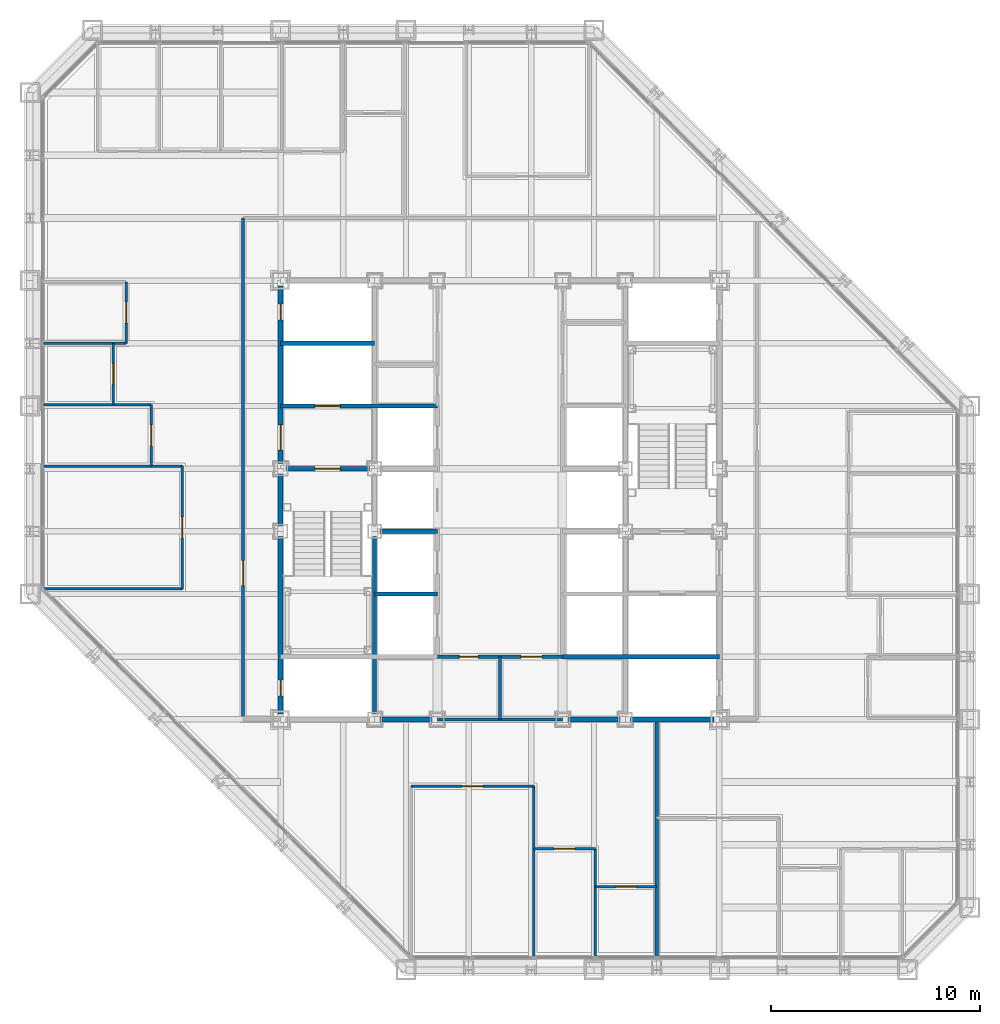
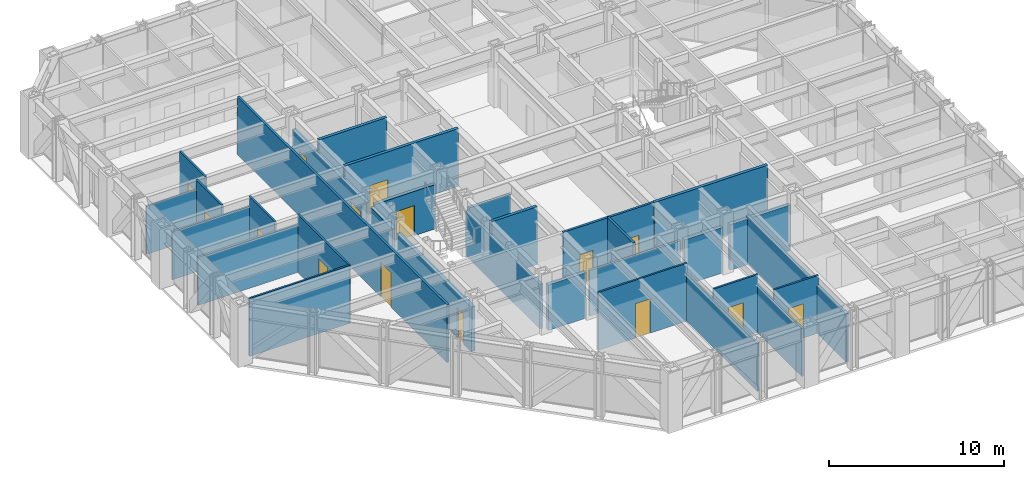
# One storey, part 10 of 16: 31 walls, 15 doors, 15 openings.
"""IFC4 building model written with IfcOpenShell, lengths in metres."""

from ifc_helpers import new_model, si_unit, direction, frame, frame_2d, origin, place, context, subcontext, project, spatial, rectangle, extrude, material, layer, layer_set, type_object, element, fill, save


model = new_model("IFC4")

# Units and contexts
model_context = context("Model", 3, precision=1e-05, world=origin(), true_north=direction((0.0, 1.0)))
body_context = subcontext(model_context, "Body", "Model", "MODEL_VIEW")
ifc_project = project(units=[si_unit("LENGTHUNIT", "METRE"), si_unit("AREAUNIT", "SQUARE_METRE"), si_unit("VOLUMEUNIT", "CUBIC_METRE"), si_unit("PLANEANGLEUNIT", "RADIAN"), si_unit("MASSUNIT", "GRAM", prefix="KILO")], contexts=[model_context])

# Site, building, storey
site_placement = place(None, origin())
site = spatial("IfcSite", under=ifc_project, at=site_placement, CompositionType="ELEMENT")
building_placement = place(site_placement, origin())
building = spatial("IfcBuilding", under=site, at=building_placement, Name="Chuquiago Exchange Tower", CompositionType="ELEMENT")
storey_placement = place(building_placement, frame((0.0, 0.0, 127.800048828125)))
storey = spatial("IfcBuildingStorey", under=building, at=storey_placement, Name="L27", CompositionType="ELEMENT", Elevation=127.800048828125)

# Wall, opening, door
ifc_material_1 = material(Name="Concrete masonry, fully grouted", Category="masonry")
ifc_layer_1 = layer(ifc_material_1, 0.25)
ifc_layer_set_1 = layer_set([ifc_layer_1], Name="W1 core wall 250")
wall_type_1 = type_object("IfcWallType", Name="W1 core wall 250", PredefinedType="SOLIDWALL", material=ifc_layer_set_1)
wall_1_placement = place(storey_placement, frame((12.0, 12.25, 0.0), z_axis=(0.0, 0.0, 1.0), x_axis=(0.0, 1.0, 0.0)))
wall_1 = element("IfcWall", 1, at=wall_1_placement, inside=storey, type_object=wall_type_1, Name="CW-L27-00-0", PredefinedType="SOLIDWALL", context=body_context, shape_type="SweptSolid", body=[
    extrude(rectangle(XDim=8.5, YDim=0.25, at=frame_2d((4.25, 0.0))), origin(), (0.0, 0.0, 1.0), 3.11279296875),
])
opening_1_placement = place(wall_1_placement, frame((0.875, 0.0, 0.0)))
opening_1 = element("IfcOpeningElement", 2, at=opening_1_placement, cuts=wall_1, Name="Opening L27-007", PredefinedType="OPENING", context=body_context, shape_type="SweptSolid", body=[
    extrude(rectangle(XDim=0.75, YDim=2.10009765625, at=frame_2d((0.375, 1.050048828125))), frame((0.0, 0.135009765625, 0.0), z_axis=(0.0, -1.0, 0.0), x_axis=(1.0, 0.0, 0.0)), (0.0, 0.0, 1.0), 0.27001953125),
])
ifc_material_2 = material(Name="Steel door, painted", Category="steel")
door_type_1 = type_object("IfcDoorType", Name="D6 riser access door 750x2100", OperationType="SINGLE_SWING_LEFT", PredefinedType="DOOR", material=ifc_material_2)
door_1_placement = place(opening_1_placement, frame((0.75, 0.0, 0.0), z_axis=(0.0, 0.0, 1.0), x_axis=(-1.0, 0.0, 0.0)))
door_1 = element("IfcDoor", 3, at=door_1_placement, inside=storey, type_object=door_type_1, Name="Riser RW1 door", OperationType="SINGLE_SWING_RIGHT", OverallHeight=2.10009765625, OverallWidth=0.75, PredefinedType="DOOR", context=body_context, shape_type="SweptSolid", body=[
    extrude(rectangle(XDim=0.75, YDim=2.10009765625, at=frame_2d((0.375, 1.050048828125))), frame((0.0, 0.02490234375, 0.0), z_axis=(0.0, -1.0, 0.0), x_axis=(1.0, 0.0, 0.0)), (0.0, 0.0, 1.0), 0.050048828125),
])
fill(opening_1, door_1)

# Wall
wall_2_placement = place(storey_placement, frame((12.0, 21.25, 0.0), z_axis=(0.0, 0.0, 1.0), x_axis=(0.0, 1.0, 0.0)))
element("IfcWall", 4, at=wall_2_placement, inside=storey, type_object=wall_type_1, Name="CW-L27-00-1", PredefinedType="SOLIDWALL", context=body_context, shape_type="SweptSolid", body=[
    extrude(rectangle(XDim=2.5, YDim=0.25, at=frame_2d((1.25, 0.0))), origin(), (0.0, 0.0, 1.0), 3.11279296875),
])

# Wall, openings, doors
wall_3_placement = place(storey_placement, frame((12.0, 24.25, 0.0), z_axis=(0.0, 0.0, 1.0), x_axis=(0.0, 1.0, 0.0)))
wall_3 = element("IfcWall", 5, at=wall_3_placement, inside=storey, type_object=wall_type_1, Name="CW-L27-00-2", PredefinedType="SOLIDWALL", context=body_context, shape_type="SweptSolid", body=[
    extrude(rectangle(XDim=8.5, YDim=0.25, at=frame_2d((4.25, 0.0))), origin(), (0.0, 0.0, 1.0), 3.11279296875),
])
opening_2_placement = place(wall_3_placement, frame((0.64990234375, 0.0, 0.0)))
opening_2 = element("IfcOpeningElement", 6, at=opening_2_placement, cuts=wall_3, Name="Opening L27-002", PredefinedType="OPENING", context=body_context, shape_type="SweptSolid", body=[
    extrude(rectangle(XDim=1.199951171875, YDim=2.10009765625, at=frame_2d((0.60009765625, 1.050048828125))), frame((0.0, 0.135009765625, 0.0), z_axis=(0.0, -1.0, 0.0), x_axis=(1.0, 0.0, 0.0)), (0.0, 0.0, 1.0), 0.27001953125),
])
opening_3_placement = place(wall_3_placement, frame((6.875, 0.0, 0.0)))
opening_3 = element("IfcOpeningElement", 7, at=opening_3_placement, cuts=wall_3, Name="Opening L27-008", PredefinedType="OPENING", context=body_context, shape_type="SweptSolid", body=[
    extrude(rectangle(XDim=0.75, YDim=2.10009765625, at=frame_2d((0.375, 1.050048828125))), frame((0.0, 0.135009765625, 0.0), z_axis=(0.0, -1.0, 0.0), x_axis=(1.0, 0.0, 0.0)), (0.0, 0.0, 1.0), 0.27001953125),
])
ifc_material_3 = material(Name="Steel door, painted", Category="steel")
door_type_2 = type_object("IfcDoorType", Name="D5 firefighting lobby door 1200x2100", OperationType="SINGLE_SWING_LEFT", PredefinedType="DOOR", material=ifc_material_3)
door_2_placement = place(opening_2_placement, frame((1.199951171875, 0.0, 0.0), z_axis=(0.0, 0.0, 1.0), x_axis=(-1.0, 0.0, 0.0)))
door_2 = element("IfcDoor", 8, at=door_2_placement, inside=storey, type_object=door_type_2, Name="Firefighting lobby 1 door", OperationType="SINGLE_SWING_RIGHT", OverallHeight=2.10009765625, OverallWidth=1.199951171875, PredefinedType="DOOR", context=body_context, shape_type="SweptSolid", body=[
    extrude(rectangle(XDim=1.199951171875, YDim=2.10009765625, at=frame_2d((0.60009765625, 1.050048828125))), frame((0.0, 0.02490234375, 0.0), z_axis=(0.0, -1.0, 0.0), x_axis=(1.0, 0.0, 0.0)), (0.0, 0.0, 1.0), 0.050048828125),
])
fill(opening_2, door_2)
door_3_placement = place(opening_3_placement, frame((0.75, 0.0, 0.0), z_axis=(0.0, 0.0, 1.0), x_axis=(-1.0, 0.0, 0.0)))
door_3 = element("IfcDoor", 9, at=door_3_placement, inside=storey, type_object=door_type_1, Name="Riser RW2 door", OperationType="SINGLE_SWING_LEFT", OverallHeight=2.10009765625, OverallWidth=0.75, PredefinedType="DOOR", context=body_context, shape_type="SweptSolid", body=[
    extrude(rectangle(XDim=0.75, YDim=2.10009765625, at=frame_2d((0.375, 1.050048828125))), frame((0.0, 0.02490234375, 0.0), z_axis=(0.0, -1.0, 0.0), x_axis=(1.0, 0.0, 0.0)), (0.0, 0.0, 1.0), 0.050048828125),
])
fill(opening_3, door_3)

# Walls
for number, where, z_axis, x_axis, name in (
    (10, (16.75, 12.0, 0.0), (0.0, 0.0, 1.0), (1.0, 0.0, 0.0), "CW-L27-01-1"),
    (11, (25.75, 12.0, 0.0), (0.0, 0.0, 1.0), (1.0, 0.0, 0.0), "CW-L27-02-0"),
):
    element("IfcWall", number, at=place(storey_placement, frame(where, z_axis=z_axis, x_axis=x_axis)), inside=storey, type_object=wall_type_1, Name=name, PredefinedType="SOLIDWALL", context=body_context, shape_type="SweptSolid", body=[
        extrude(rectangle(XDim=2.5, YDim=0.25, at=frame_2d((1.25, 0.0))), origin(), (0.0, 0.0, 1.0), 3.181396484375),
    ])
wall_4_placement = place(storey_placement, frame((28.75, 12.0, 0.0), z_axis=(0.0, 0.0, 1.0), x_axis=(1.0, 0.0, 0.0)))
element("IfcWall", 12, at=wall_4_placement, inside=storey, type_object=wall_type_1, Name="CW-L27-02-1", PredefinedType="SOLIDWALL", context=body_context, shape_type="SweptSolid", body=[
    extrude(rectangle(XDim=4.0, YDim=0.25, at=frame_2d((2.0, 0.0))), origin(), (0.0, 0.0, 1.0), 3.181396484375),
])

# Wall, opening, door
ifc_material_4 = material(Name="Gypsum board on steel studs, acoustic insulation", Category="steel")
ifc_layer_2 = layer(ifc_material_4, 0.14990234375)
ifc_layer_set_2 = layer_set([ifc_layer_2], Name="W11 corridor wall 150")
wall_type_2 = type_object("IfcWallType", Name="W11 corridor wall 150", PredefinedType="PARTITIONING", material=ifc_layer_set_2)
wall_5_placement = place(storey_placement, frame((10.199951171875, 12.0, 0.0), z_axis=(0.0, 0.0, 1.0), x_axis=(0.0, 1.0, 0.0)))
wall_5 = element("IfcWall", 13, at=wall_5_placement, inside=storey, type_object=wall_type_2, Name="PW-L27-CW", PredefinedType="PARTITIONING", context=body_context, shape_type="SweptSolid", body=[
    extrude(rectangle(XDim=24.0, YDim=0.14990234375, at=frame_2d((12.0, 0.0))), origin(), (0.0, 0.0, 1.0), 4.0400390625),
])
opening_4_placement = place(wall_5_placement, frame((6.39990234375, 0.0, 0.0)))
opening_4 = element("IfcOpeningElement", 14, at=opening_4_placement, cuts=wall_5, Name="Opening L27-043", PredefinedType="OPENING", context=body_context, shape_type="SweptSolid", body=[
    extrude(rectangle(XDim=1.199951171875, YDim=2.39990234375, at=frame_2d((0.60009765625, 1.199951171875))), frame((0.0, 0.0849609375, 0.0), z_axis=(0.0, -1.0, 0.0), x_axis=(1.0, 0.0, 0.0)), (0.0, 0.0, 1.0), 0.169921875),
])
ifc_material_5 = material(Name="Timber door, laminate faced", Category="wood")
door_type_3 = type_object("IfcDoorType", Name="D13 suite entrance door 1200x2400", OperationType="SINGLE_SWING_LEFT", PredefinedType="DOOR", material=ifc_material_5)
door_4_placement = place(opening_4_placement, origin())
door_4 = element("IfcDoor", 15, at=door_4_placement, inside=storey, type_object=door_type_3, Name="West suite entrance door", OperationType="SINGLE_SWING_LEFT", OverallHeight=2.39990234375, OverallWidth=1.199951171875, PredefinedType="DOOR", context=body_context, shape_type="SweptSolid", body=[
    extrude(rectangle(XDim=1.199951171875, YDim=2.39990234375, at=frame_2d((0.60009765625, 1.199951171875))), frame((0.0, 0.02490234375, 0.0), z_axis=(0.0, -1.0, 0.0), x_axis=(1.0, 0.0, 0.0)), (0.0, 0.0, 1.0), 0.050048828125),
])
fill(opening_4, door_4)

# Walls
ifc_material_6 = material(Name="Gypsum board on twin steel studs, acoustic insulation", Category="steel")
ifc_layer_3 = layer(ifc_material_6, 0.175048828125)
ifc_layer_set_3 = layer_set([ifc_layer_3], Name="W12 tenant demising wall 175")
wall_type_3 = type_object("IfcWallType", Name="W12 tenant demising wall 175", PredefinedType="PARTITIONING", material=ifc_layer_set_3)
wall_6_placement = place(storey_placement, frame((30.0, 0.652587890625, 0.0), z_axis=(0.0, 0.0, 1.0), x_axis=(0.0, 1.0, 0.0)))
element("IfcWall", 16, at=wall_6_placement, inside=storey, type_object=wall_type_3, Name="PW-L27-DS03000", PredefinedType="PARTITIONING", context=body_context, shape_type="SweptSolid", body=[
    extrude(rectangle(XDim=11.347412109375, YDim=0.175048828125, at=frame_2d((5.673828125, 0.0))), origin(), (0.0, 0.0, 1.0), 3.356689453125),
])
ifc_material_7 = material(Name="Concrete masonry, fully grouted", Category="masonry")
ifc_layer_4 = layer(ifc_material_7, 0.199951171875)
ifc_layer_set_4 = layer_set([ifc_layer_4], Name="W2 shaft wall 200")
wall_type_4 = type_object("IfcWallType", Name="W2 shaft wall 200", PredefinedType="SOLIDWALL", material=ifc_layer_set_4)
wall_7_placement = place(storey_placement, frame((25.5, 15.0, 0.0), z_axis=(0.0, 0.0, 1.0), x_axis=(1.0, 0.0, 0.0)))
element("IfcWall", 17, at=wall_7_placement, inside=storey, type_object=wall_type_4, Name="CW-L27-04-0", PredefinedType="SOLIDWALL", context=body_context, shape_type="SweptSolid", body=[
    extrude(rectangle(XDim=7.5, YDim=0.199951171875, at=frame_2d((3.75, 0.0))), origin(), (0.0, 0.0, 1.0), 4.0400390625),
])

# Wall, opening, door
wall_8_placement = place(storey_placement, frame((12.25, 24.0, 0.0), z_axis=(0.0, 0.0, 1.0), x_axis=(1.0, 0.0, 0.0)))
wall_8 = element("IfcWall", 18, at=wall_8_placement, inside=storey, type_object=wall_type_4, Name="CW-L27-05-0", PredefinedType="SOLIDWALL", context=body_context, shape_type="SweptSolid", body=[
    extrude(rectangle(XDim=4.0, YDim=0.199951171875, at=frame_2d((2.0, 0.0))), origin(), (0.0, 0.0, 1.0), 3.08984375),
])
opening_5_placement = place(wall_8_placement, frame((1.39990234375, 0.0, 0.0)))
opening_5 = element("IfcOpeningElement", 19, at=opening_5_placement, cuts=wall_8, Name="Opening L27-001", PredefinedType="OPENING", context=body_context, shape_type="SweptSolid", body=[
    extrude(rectangle(XDim=1.199951171875, YDim=2.10009765625, at=frame_2d((0.60009765625, 1.050048828125))), frame((0.0, 0.10986328125, 0.0), z_axis=(0.0, -1.0, 0.0), x_axis=(1.0, 0.0, 0.0)), (0.0, 0.0, 1.0), 0.219970703125),
])
ifc_material_8 = material(Name="Steel door, painted", Category="steel")
door_type_4 = type_object("IfcDoorType", Name="D4 stair door 1200x2100", OperationType="SINGLE_SWING_LEFT", PredefinedType="DOOR", material=ifc_material_8)
door_5_placement = place(opening_5_placement, frame((1.199951171875, 0.0, 0.0), z_axis=(0.0, 0.0, 1.0), x_axis=(-1.0, 0.0, 0.0)))
door_5 = element("IfcDoor", 20, at=door_5_placement, inside=storey, type_object=door_type_4, Name="Stair ST1 door", OperationType="SINGLE_SWING_RIGHT", OverallHeight=2.10009765625, OverallWidth=1.199951171875, PredefinedType="DOOR", context=body_context, shape_type="SweptSolid", body=[
    extrude(rectangle(XDim=1.199951171875, YDim=2.10009765625, at=frame_2d((0.60009765625, 1.050048828125))), frame((0.0, 0.02490234375, 0.0), z_axis=(0.0, -1.0, 0.0), x_axis=(1.0, 0.0, 0.0)), (0.0, 0.0, 1.0), 0.050048828125),
])
fill(opening_5, door_5)

wall_9_placement = place(storey_placement, frame((12.0, 27.0, 0.0), z_axis=(0.0, 0.0, 1.0), x_axis=(1.0, 0.0, 0.0)))
wall_9 = element("IfcWall", 21, at=wall_9_placement, inside=storey, type_object=wall_type_4, Name="CW-L27-07-0", PredefinedType="SOLIDWALL", context=body_context, shape_type="SweptSolid", body=[
    extrude(rectangle(XDim=7.5, YDim=0.199951171875, at=frame_2d((3.75, 0.0))), origin(), (0.0, 0.0, 1.0), 4.0400390625),
])
opening_6_placement = place(wall_9_placement, frame((1.64990234375, 0.0, 0.0)))
opening_6 = element("IfcOpeningElement", 22, at=opening_6_placement, cuts=wall_9, Name="Opening L27-005", PredefinedType="OPENING", context=body_context, shape_type="SweptSolid", body=[
    extrude(rectangle(XDim=1.199951171875, YDim=2.10009765625, at=frame_2d((0.60009765625, 1.050048828125))), frame((0.0, 0.10986328125, 0.0), z_axis=(0.0, -1.0, 0.0), x_axis=(1.0, 0.0, 0.0)), (0.0, 0.0, 1.0), 0.219970703125),
])
ifc_material_9 = material(Name="Stainless steel lift landing door", Category="steel")
door_type_5 = type_object("IfcDoorType", Name="LD2 firefighting lift landing door 1200x2100", OperationType="DOUBLE_DOOR_SLIDING", PredefinedType="DOOR", material=ifc_material_9)
door_6_placement = place(opening_6_placement, origin())
door_6 = element("IfcDoor", 23, at=door_6_placement, inside=storey, type_object=door_type_5, Name="Firefighting lift FL1 landing door", OperationType="DOUBLE_DOOR_SLIDING", OverallHeight=2.10009765625, OverallWidth=1.199951171875, PredefinedType="DOOR", context=body_context, shape_type="SweptSolid", body=[
    extrude(rectangle(XDim=1.199951171875, YDim=2.10009765625, at=frame_2d((0.60009765625, 1.050048828125))), frame((0.0, 0.02490234375, 0.0), z_axis=(0.0, -1.0, 0.0), x_axis=(1.0, 0.0, 0.0)), (0.0, 0.0, 1.0), 0.050048828125),
])
fill(opening_6, door_6)

# Walls
wall_10_placement = place(storey_placement, frame((12.0, 30.0, 0.0), z_axis=(0.0, 0.0, 1.0), x_axis=(1.0, 0.0, 0.0)))
element("IfcWall", 24, at=wall_10_placement, inside=storey, type_object=wall_type_4, Name="CW-L27-09-0", PredefinedType="SOLIDWALL", context=body_context, shape_type="SweptSolid", body=[
    extrude(rectangle(XDim=4.5, YDim=0.199951171875, at=frame_2d((2.25, 0.0))), origin(), (0.0, 0.0, 1.0), 4.0400390625),
])
wall_11_placement = place(storey_placement, frame((16.5, 12.25, 0.0), z_axis=(0.0, 0.0, 1.0), x_axis=(0.0, 1.0, 0.0)))
element("IfcWall", 25, at=wall_11_placement, inside=storey, type_object=wall_type_4, Name="CW-L27-13-0", PredefinedType="SOLIDWALL", context=body_context, shape_type="SweptSolid", body=[
    extrude(rectangle(XDim=8.5, YDim=0.199951171875, at=frame_2d((4.25, 0.0))), origin(), (0.0, 0.0, 1.0), 3.11279296875),
])
wall_12_placement = place(storey_placement, frame((16.5, 18.0, 0.0), z_axis=(0.0, 0.0, 1.0), x_axis=(1.0, 0.0, 0.0)))
element("IfcWall", 26, at=wall_12_placement, inside=storey, type_object=wall_type_4, Name="CW-L27-14-0", PredefinedType="SOLIDWALL", context=body_context, shape_type="SweptSolid", body=[
    extrude(rectangle(XDim=3.0, YDim=0.199951171875, at=frame_2d((1.5, 0.0))), origin(), (0.0, 0.0, 1.0), 4.0400390625),
])
wall_13_placement = place(storey_placement, frame((16.75, 21.0, 0.0), z_axis=(0.0, 0.0, 1.0), x_axis=(1.0, 0.0, 0.0)))
element("IfcWall", 27, at=wall_13_placement, inside=storey, type_object=wall_type_4, Name="CW-L27-16-0", PredefinedType="SOLIDWALL", context=body_context, shape_type="SweptSolid", body=[
    extrude(rectangle(XDim=2.75, YDim=0.199951171875, at=frame_2d((1.375, 0.0))), origin(), (0.0, 0.0, 1.0), 3.08984375),
])

# Wall, openings, doors
ifc_material_10 = material(Name="Gypsum board on steel studs", Category="steel")
ifc_layer_5 = layer(ifc_material_10, 0.14990234375)
ifc_layer_set_5 = layer_set([ifc_layer_5], Name="W3 core partition 150")
wall_type_5 = type_object("IfcWallType", Name="W3 core partition 150", PredefinedType="PARTITIONING", material=ifc_layer_set_5)
wall_14_placement = place(storey_placement, frame((19.5, 15.0, 0.0), z_axis=(0.0, 0.0, 1.0), x_axis=(1.0, 0.0, 0.0)))
wall_14 = element("IfcWall", 28, at=wall_14_placement, inside=storey, type_object=wall_type_5, Name="CW-L27-TF", PredefinedType="PARTITIONING", context=body_context, shape_type="SweptSolid", body=[
    extrude(rectangle(XDim=6.0, YDim=0.14990234375, at=frame_2d((3.0, 0.0))), origin(), (0.0, 0.0, 1.0), 4.0400390625),
])
opening_7_placement = place(wall_14_placement, frame((4.0, 0.0, 0.0)))
opening_7 = element("IfcOpeningElement", 29, at=opening_7_placement, cuts=wall_14, Name="Opening L27-015", PredefinedType="OPENING", context=body_context, shape_type="SweptSolid", body=[
    extrude(rectangle(XDim=1.0, YDim=2.10009765625, at=frame_2d((0.5, 1.050048828125))), frame((0.0, 0.0849609375, 0.0), z_axis=(0.0, -1.0, 0.0), x_axis=(1.0, 0.0, 0.0)), (0.0, 0.0, 1.0), 0.169921875),
])
opening_8_placement = place(wall_14_placement, frame((1.050048828125, 0.0, 0.0)))
opening_8 = element("IfcOpeningElement", 30, at=opening_8_placement, cuts=wall_14, Name="Opening L27-016", PredefinedType="OPENING", context=body_context, shape_type="SweptSolid", body=[
    extrude(rectangle(XDim=0.89990234375, YDim=2.10009765625, at=frame_2d((0.449951171875, 1.050048828125))), frame((0.0, 0.0849609375, 0.0), z_axis=(0.0, -1.0, 0.0), x_axis=(1.0, 0.0, 0.0)), (0.0, 0.0, 1.0), 0.169921875),
])
ifc_material_11 = material(Name="Timber door, laminate faced", Category="wood")
door_type_6 = type_object("IfcDoorType", Name="D7 toilet door 900x2100", OperationType="SINGLE_SWING_LEFT", PredefinedType="DOOR", material=ifc_material_11)
door_7_placement = place(opening_8_placement, origin())
door_7 = element("IfcDoor", 31, at=door_7_placement, inside=storey, type_object=door_type_6, Name="Cleaner door", OperationType="SINGLE_SWING_LEFT", OverallHeight=2.10009765625, OverallWidth=0.89990234375, PredefinedType="DOOR", context=body_context, shape_type="SweptSolid", body=[
    extrude(rectangle(XDim=0.89990234375, YDim=2.10009765625, at=frame_2d((0.449951171875, 1.050048828125))), frame((0.0, 0.02490234375, 0.0), z_axis=(0.0, -1.0, 0.0), x_axis=(1.0, 0.0, 0.0)), (0.0, 0.0, 1.0), 0.050048828125),
])
fill(opening_8, door_7)
ifc_material_12 = material(Name="Timber door, laminate faced", Category="wood")
door_type_7 = type_object("IfcDoorType", Name="D8 accessible toilet door 1000x2100", OperationType="SLIDING_TO_LEFT", PredefinedType="DOOR", material=ifc_material_12)
door_8_placement = place(opening_7_placement, origin())
door_8 = element("IfcDoor", 32, at=door_8_placement, inside=storey, type_object=door_type_7, Name="Accessible WC door", OperationType="SLIDING_TO_LEFT", OverallHeight=2.10009765625, OverallWidth=1.0, PredefinedType="DOOR", context=body_context, shape_type="SweptSolid", body=[
    extrude(rectangle(XDim=1.0, YDim=2.10009765625, at=frame_2d((0.5, 1.050048828125))), frame((0.0, 0.02490234375, 0.0), z_axis=(0.0, -1.0, 0.0), x_axis=(1.0, 0.0, 0.0)), (0.0, 0.0, 1.0), 0.050048828125),
])
fill(opening_7, door_8)

# Walls
wall_15_placement = place(storey_placement, frame((22.5, 15.0, 0.0), z_axis=(0.0, 0.0, 1.0), x_axis=(0.0, -1.0, 0.0)))
element("IfcWall", 33, at=wall_15_placement, inside=storey, type_object=wall_type_5, Name="CW-L27-TM", PredefinedType="PARTITIONING", context=body_context, shape_type="SweptSolid", body=[
    extrude(rectangle(XDim=3.0, YDim=0.14990234375, at=frame_2d((1.5, 0.0))), origin(), (0.0, 0.0, 1.0), 4.0400390625),
])
wall_16_placement = place(storey_placement, frame((19.5, 12.0, 0.0), z_axis=(0.0, 0.0, 1.0), x_axis=(1.0, 0.0, 0.0)))
element("IfcWall", 34, at=wall_16_placement, inside=storey, type_object=wall_type_5, Name="CW-L27-TB", PredefinedType="PARTITIONING", context=body_context, shape_type="SweptSolid", body=[
    extrude(rectangle(XDim=6.0, YDim=0.14990234375, at=frame_2d((3.0, 0.0))), origin(), (0.0, 0.0, 1.0), 3.181396484375),
])
ifc_material_13 = material(Name="Gypsum board on steel studs", Category="steel")
ifc_layer_6 = layer(ifc_material_13, 0.1201171875)
ifc_layer_set_6 = layer_set([ifc_layer_6], Name="W4 partition 120")
wall_type_6 = type_object("IfcWallType", Name="W4 partition 120", PredefinedType="PARTITIONING", material=ifc_layer_set_6)
wall_17_placement = place(storey_placement, frame((24.124267578125, 0.652587890625, 0.0), z_axis=(0.0, 0.0, 1.0), x_axis=(0.0, 1.0, 0.0)))
element("IfcWall", 35, at=wall_17_placement, inside=storey, type_object=wall_type_6, Name="PW-L27-S02412", PredefinedType="PARTITIONING", context=body_context, shape_type="SweptSolid", body=[
    extrude(rectangle(XDim=8.1474609375, YDim=0.1201171875, at=frame_2d((4.07373046875, 0.0))), origin(), (0.0, 0.0, 1.0), 3.356689453125),
])
wall_18_placement = place(storey_placement, frame((27.06201171875, 0.652587890625, 0.0), z_axis=(0.0, 0.0, 1.0), x_axis=(0.0, 1.0, 0.0)))
element("IfcWall", 36, at=wall_18_placement, inside=storey, type_object=wall_type_6, Name="PW-L27-S02706", PredefinedType="PARTITIONING", context=body_context, shape_type="SweptSolid", body=[
    extrude(rectangle(XDim=5.1474609375, YDim=0.1201171875, at=frame_2d((2.57373046875, 0.0))), origin(), (0.0, 0.0, 1.0), 3.356689453125),
])

# Wall, opening, door
wall_19_placement = place(storey_placement, frame((18.24853515625, 8.800048828125, 0.0), z_axis=(0.0, 0.0, 1.0), x_axis=(1.0, 0.0, 0.0)))
wall_19 = element("IfcWall", 37, at=wall_19_placement, inside=storey, type_object=wall_type_6, Name="PW-L27-SF01825", PredefinedType="PARTITIONING", context=body_context, shape_type="SweptSolid", body=[
    extrude(rectangle(XDim=5.875732421875, YDim=0.1201171875, at=frame_2d((2.93798828125, 0.0))), origin(), (0.0, 0.0, 1.0), 4.0400390625),
])
opening_9_placement = place(wall_19_placement, frame((2.43798828125, 0.0, 0.0)))
opening_9 = element("IfcOpeningElement", 38, at=opening_9_placement, cuts=wall_19, Name="Opening L27-021", PredefinedType="OPENING", context=body_context, shape_type="SweptSolid", body=[
    extrude(rectangle(XDim=1.0, YDim=2.39990234375, at=frame_2d((0.5, 1.199951171875))), frame((0.0, 0.070068359375, 0.0), z_axis=(0.0, -1.0, 0.0), x_axis=(1.0, 0.0, 0.0)), (0.0, 0.0, 1.0), 0.14013671875),
])
ifc_material_14 = material(Name="Timber door, laminate faced", Category="wood")
door_type_8 = type_object("IfcDoorType", Name="D9 room door 1000x2400", OperationType="SINGLE_SWING_LEFT", PredefinedType="DOOR", material=ifc_material_14)
door_9_placement = place(opening_9_placement, frame((1.0, 0.0, 0.0), z_axis=(0.0, 0.0, 1.0), x_axis=(-1.0, 0.0, 0.0)))
door_9 = element("IfcDoor", 39, at=door_9_placement, inside=storey, type_object=door_type_8, Name="Settlement office door", OperationType="SINGLE_SWING_RIGHT", OverallHeight=2.39990234375, OverallWidth=1.0, PredefinedType="DOOR", context=body_context, shape_type="SweptSolid", body=[
    extrude(rectangle(XDim=1.0, YDim=2.39990234375, at=frame_2d((0.5, 1.199951171875))), frame((0.0, 0.02490234375, 0.0), z_axis=(0.0, -1.0, 0.0), x_axis=(1.0, 0.0, 0.0)), (0.0, 0.0, 1.0), 0.050048828125),
])
fill(opening_9, door_9)

wall_20_placement = place(storey_placement, frame((24.124267578125, 5.800048828125, 0.0), z_axis=(0.0, 0.0, 1.0), x_axis=(1.0, 0.0, 0.0)))
wall_20 = element("IfcWall", 40, at=wall_20_placement, inside=storey, type_object=wall_type_6, Name="PW-L27-SF02412", PredefinedType="PARTITIONING", context=body_context, shape_type="SweptSolid", body=[
    extrude(rectangle(XDim=2.937744140625, YDim=0.1201171875, at=frame_2d((1.46875, 0.0))), origin(), (0.0, 0.0, 1.0), 4.0400390625),
])
opening_10_placement = place(wall_20_placement, frame((0.968994140625, 0.0, 0.0)))
opening_10 = element("IfcOpeningElement", 41, at=opening_10_placement, cuts=wall_20, Name="Opening L27-022", PredefinedType="OPENING", context=body_context, shape_type="SweptSolid", body=[
    extrude(rectangle(XDim=1.0, YDim=2.39990234375, at=frame_2d((0.5, 1.199951171875))), frame((0.0, 0.070068359375, 0.0), z_axis=(0.0, -1.0, 0.0), x_axis=(1.0, 0.0, 0.0)), (0.0, 0.0, 1.0), 0.14013671875),
])
door_10_placement = place(opening_10_placement, frame((1.0, 0.0, 0.0), z_axis=(0.0, 0.0, 1.0), x_axis=(-1.0, 0.0, 0.0)))
door_10 = element("IfcDoor", 42, at=door_10_placement, inside=storey, type_object=door_type_8, Name="Office door", OperationType="SINGLE_SWING_LEFT", OverallHeight=2.39990234375, OverallWidth=1.0, PredefinedType="DOOR", context=body_context, shape_type="SweptSolid", body=[
    extrude(rectangle(XDim=1.0, YDim=2.39990234375, at=frame_2d((0.5, 1.199951171875))), frame((0.0, 0.02490234375, 0.0), z_axis=(0.0, -1.0, 0.0), x_axis=(1.0, 0.0, 0.0)), (0.0, 0.0, 1.0), 0.050048828125),
])
fill(opening_10, door_10)

wall_21_placement = place(storey_placement, frame((27.06201171875, 4.0, 0.0), z_axis=(0.0, 0.0, 1.0), x_axis=(1.0, 0.0, 0.0)))
wall_21 = element("IfcWall", 43, at=wall_21_placement, inside=storey, type_object=wall_type_6, Name="PW-L27-SF02706", PredefinedType="PARTITIONING", context=body_context, shape_type="SweptSolid", body=[
    extrude(rectangle(XDim=2.93798828125, YDim=0.1201171875, at=frame_2d((1.468994140625, 0.0))), origin(), (0.0, 0.0, 1.0), 4.0400390625),
])
opening_11_placement = place(wall_21_placement, frame((0.968994140625, 0.0, 0.0)))
opening_11 = element("IfcOpeningElement", 44, at=opening_11_placement, cuts=wall_21, Name="Opening L27-023", PredefinedType="OPENING", context=body_context, shape_type="SweptSolid", body=[
    extrude(rectangle(XDim=1.0, YDim=2.39990234375, at=frame_2d((0.5, 1.199951171875))), frame((0.0, 0.070068359375, 0.0), z_axis=(0.0, -1.0, 0.0), x_axis=(1.0, 0.0, 0.0)), (0.0, 0.0, 1.0), 0.14013671875),
])
ifc_material_15 = material(Name="Timber frame door, full height glazed panel", Category="wood")
door_type_9 = type_object("IfcDoorType", Name="D14 glazed meeting room door 1000x2400", OperationType="SINGLE_SWING_LEFT", PredefinedType="DOOR", material=ifc_material_15)
door_11_placement = place(opening_11_placement, frame((1.0, 0.0, 0.0), z_axis=(0.0, 0.0, 1.0), x_axis=(-1.0, 0.0, 0.0)))
door_11 = element("IfcDoor", 45, at=door_11_placement, inside=storey, type_object=door_type_9, Name="Focus room door", OperationType="SINGLE_SWING_LEFT", OverallHeight=2.39990234375, OverallWidth=1.0, PredefinedType="DOOR", context=body_context, shape_type="SweptSolid", body=[
    extrude(rectangle(XDim=1.0, YDim=2.39990234375, at=frame_2d((0.5, 1.199951171875))), frame((0.0, 0.02490234375, 0.0), z_axis=(0.0, -1.0, 0.0), x_axis=(1.0, 0.0, 0.0)), (0.0, 0.0, 1.0), 0.050048828125),
])
fill(opening_11, door_11)

# Walls
wall_22_placement = place(storey_placement, frame((0.666015625, 18.24853515625, 0.0), z_axis=(0.0, 0.0, 1.0), x_axis=(1.0, 0.0, 0.0)))
element("IfcWall", 46, at=wall_22_placement, inside=storey, type_object=wall_type_6, Name="PW-L27-W01825", PredefinedType="PARTITIONING", context=body_context, shape_type="SweptSolid", body=[
    extrude(rectangle(XDim=6.634033203125, YDim=0.1201171875, at=frame_2d((3.31689453125, 0.0))), origin(), (0.0, 0.0, 1.0), 4.0400390625),
])
wall_23_placement = place(storey_placement, frame((0.652587890625, 24.124267578125, 0.0), z_axis=(0.0, 0.0, 1.0), x_axis=(1.0, 0.0, 0.0)))
element("IfcWall", 47, at=wall_23_placement, inside=storey, type_object=wall_type_6, Name="PW-L27-W02412", PredefinedType="PARTITIONING", context=body_context, shape_type="SweptSolid", body=[
    extrude(rectangle(XDim=6.6474609375, YDim=0.1201171875, at=frame_2d((3.32373046875, 0.0))), origin(), (0.0, 0.0, 1.0), 3.356689453125),
])
wall_24_placement = place(storey_placement, frame((0.652587890625, 27.06201171875, 0.0), z_axis=(0.0, 0.0, 1.0), x_axis=(1.0, 0.0, 0.0)))
element("IfcWall", 48, at=wall_24_placement, inside=storey, type_object=wall_type_6, Name="PW-L27-W02706", PredefinedType="PARTITIONING", context=body_context, shape_type="SweptSolid", body=[
    extrude(rectangle(XDim=5.1474609375, YDim=0.1201171875, at=frame_2d((2.57373046875, 0.0))), origin(), (0.0, 0.0, 1.0), 3.356689453125),
])
wall_25_placement = place(storey_placement, frame((0.652587890625, 30.0, 0.0), z_axis=(0.0, 0.0, 1.0), x_axis=(1.0, 0.0, 0.0)))
element("IfcWall", 49, at=wall_25_placement, inside=storey, type_object=wall_type_6, Name="PW-L27-W03000", PredefinedType="PARTITIONING", context=body_context, shape_type="SweptSolid", body=[
    extrude(rectangle(XDim=3.947509765625, YDim=0.1201171875, at=frame_2d((1.9736328125, 0.0))), origin(), (0.0, 0.0, 1.0), 3.356689453125),
])

# Wall, opening, door
wall_26_placement = place(storey_placement, frame((7.300048828125, 18.24853515625, 0.0), z_axis=(0.0, 0.0, 1.0), x_axis=(0.0, 1.0, 0.0)))
wall_26 = element("IfcWall", 50, at=wall_26_placement, inside=storey, type_object=wall_type_6, Name="PW-L27-WF01825", PredefinedType="PARTITIONING", context=body_context, shape_type="SweptSolid", body=[
    extrude(rectangle(XDim=5.875732421875, YDim=0.1201171875, at=frame_2d((2.93798828125, 0.0))), origin(), (0.0, 0.0, 1.0), 4.0400390625),
])
opening_12_placement = place(wall_26_placement, frame((2.43798828125, 0.0, 0.0)))
opening_12 = element("IfcOpeningElement", 51, at=opening_12_placement, cuts=wall_26, Name="Opening L27-039", PredefinedType="OPENING", context=body_context, shape_type="SweptSolid", body=[
    extrude(rectangle(XDim=1.0, YDim=2.39990234375, at=frame_2d((0.5, 1.199951171875))), frame((0.0, 0.070068359375, 0.0), z_axis=(0.0, -1.0, 0.0), x_axis=(1.0, 0.0, 0.0)), (0.0, 0.0, 1.0), 0.14013671875),
])
door_12_placement = place(opening_12_placement, origin())
door_12 = element("IfcDoor", 52, at=door_12_placement, inside=storey, type_object=door_type_9, Name="Conference room door", OperationType="SINGLE_SWING_LEFT", OverallHeight=2.39990234375, OverallWidth=1.0, PredefinedType="DOOR", context=body_context, shape_type="SweptSolid", body=[
    extrude(rectangle(XDim=1.0, YDim=2.39990234375, at=frame_2d((0.5, 1.199951171875))), frame((0.0, 0.02490234375, 0.0), z_axis=(0.0, -1.0, 0.0), x_axis=(1.0, 0.0, 0.0)), (0.0, 0.0, 1.0), 0.050048828125),
])
fill(opening_12, door_12)

wall_27_placement = place(storey_placement, frame((5.800048828125, 24.124267578125, 0.0), z_axis=(0.0, 0.0, 1.0), x_axis=(0.0, 1.0, 0.0)))
wall_27 = element("IfcWall", 53, at=wall_27_placement, inside=storey, type_object=wall_type_6, Name="PW-L27-WF02412", PredefinedType="PARTITIONING", context=body_context, shape_type="SweptSolid", body=[
    extrude(rectangle(XDim=2.937744140625, YDim=0.1201171875, at=frame_2d((1.46875, 0.0))), origin(), (0.0, 0.0, 1.0), 4.0400390625),
])
opening_13_placement = place(wall_27_placement, frame((0.968994140625, 0.0, 0.0)))
opening_13 = element("IfcOpeningElement", 54, at=opening_13_placement, cuts=wall_27, Name="Opening L27-040", PredefinedType="OPENING", context=body_context, shape_type="SweptSolid", body=[
    extrude(rectangle(XDim=1.0, YDim=2.39990234375, at=frame_2d((0.5, 1.199951171875))), frame((0.0, 0.070068359375, 0.0), z_axis=(0.0, -1.0, 0.0), x_axis=(1.0, 0.0, 0.0)), (0.0, 0.0, 1.0), 0.14013671875),
])
door_13_placement = place(opening_13_placement, origin())
door_13 = element("IfcDoor", 55, at=door_13_placement, inside=storey, type_object=door_type_8, Name="Office door", OperationType="SINGLE_SWING_RIGHT", OverallHeight=2.39990234375, OverallWidth=1.0, PredefinedType="DOOR", context=body_context, shape_type="SweptSolid", body=[
    extrude(rectangle(XDim=1.0, YDim=2.39990234375, at=frame_2d((0.5, 1.199951171875))), frame((0.0, 0.02490234375, 0.0), z_axis=(0.0, -1.0, 0.0), x_axis=(1.0, 0.0, 0.0)), (0.0, 0.0, 1.0), 0.050048828125),
])
fill(opening_13, door_13)

wall_28_placement = place(storey_placement, frame((4.0, 27.06201171875, 0.0), z_axis=(0.0, 0.0, 1.0), x_axis=(0.0, 1.0, 0.0)))
wall_28 = element("IfcWall", 56, at=wall_28_placement, inside=storey, type_object=wall_type_6, Name="PW-L27-WF02706", PredefinedType="PARTITIONING", context=body_context, shape_type="SweptSolid", body=[
    extrude(rectangle(XDim=2.93798828125, YDim=0.1201171875, at=frame_2d((1.468994140625, 0.0))), origin(), (0.0, 0.0, 1.0), 4.0400390625),
])
opening_14_placement = place(wall_28_placement, frame((0.968994140625, 0.0, 0.0)))
opening_14 = element("IfcOpeningElement", 57, at=opening_14_placement, cuts=wall_28, Name="Opening L27-041", PredefinedType="OPENING", context=body_context, shape_type="SweptSolid", body=[
    extrude(rectangle(XDim=1.0, YDim=2.39990234375, at=frame_2d((0.5, 1.199951171875))), frame((0.0, 0.070068359375, 0.0), z_axis=(0.0, -1.0, 0.0), x_axis=(1.0, 0.0, 0.0)), (0.0, 0.0, 1.0), 0.14013671875),
])
door_14_placement = place(opening_14_placement, origin())
door_14 = element("IfcDoor", 58, at=door_14_placement, inside=storey, type_object=door_type_9, Name="Focus room door", OperationType="SINGLE_SWING_LEFT", OverallHeight=2.39990234375, OverallWidth=1.0, PredefinedType="DOOR", context=body_context, shape_type="SweptSolid", body=[
    extrude(rectangle(XDim=1.0, YDim=2.39990234375, at=frame_2d((0.5, 1.199951171875))), frame((0.0, 0.02490234375, 0.0), z_axis=(0.0, -1.0, 0.0), x_axis=(1.0, 0.0, 0.0)), (0.0, 0.0, 1.0), 0.050048828125),
])
fill(opening_14, door_14)

wall_29_placement = place(storey_placement, frame((4.60009765625, 30.0, 0.0), z_axis=(0.0, 0.0, 1.0), x_axis=(0.0, 1.0, 0.0)))
wall_29 = element("IfcWall", 59, at=wall_29_placement, inside=storey, type_object=wall_type_6, Name="PW-L27-WF03000", PredefinedType="PARTITIONING", context=body_context, shape_type="SweptSolid", body=[
    extrude(rectangle(XDim=2.93798828125, YDim=0.1201171875, at=frame_2d((1.468994140625, 0.0))), origin(), (0.0, 0.0, 1.0), 4.0400390625),
])
opening_15_placement = place(wall_29_placement, frame((0.968994140625, 0.0, 0.0)))
opening_15 = element("IfcOpeningElement", 60, at=opening_15_placement, cuts=wall_29, Name="Opening L27-042", PredefinedType="OPENING", context=body_context, shape_type="SweptSolid", body=[
    extrude(rectangle(XDim=1.0, YDim=2.39990234375, at=frame_2d((0.5, 1.199951171875))), frame((0.0, 0.070068359375, 0.0), z_axis=(0.0, -1.0, 0.0), x_axis=(1.0, 0.0, 0.0)), (0.0, 0.0, 1.0), 0.14013671875),
])
door_15_placement = place(opening_15_placement, origin())
door_15 = element("IfcDoor", 61, at=door_15_placement, inside=storey, type_object=door_type_8, Name="Pantry door", OperationType="SINGLE_SWING_LEFT", OverallHeight=2.39990234375, OverallWidth=1.0, PredefinedType="DOOR", context=body_context, shape_type="SweptSolid", body=[
    extrude(rectangle(XDim=1.0, YDim=2.39990234375, at=frame_2d((0.5, 1.199951171875))), frame((0.0, 0.02490234375, 0.0), z_axis=(0.0, -1.0, 0.0), x_axis=(1.0, 0.0, 0.0)), (0.0, 0.0, 1.0), 0.050048828125),
])
fill(opening_15, door_15)

save(model, "model.ifc")
